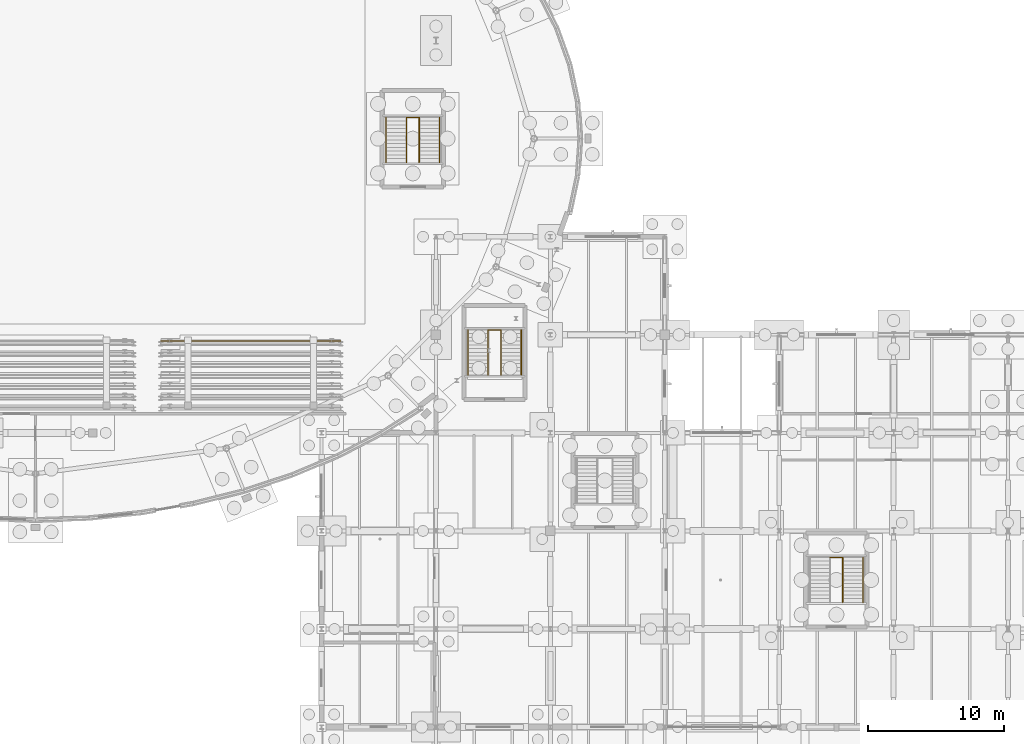
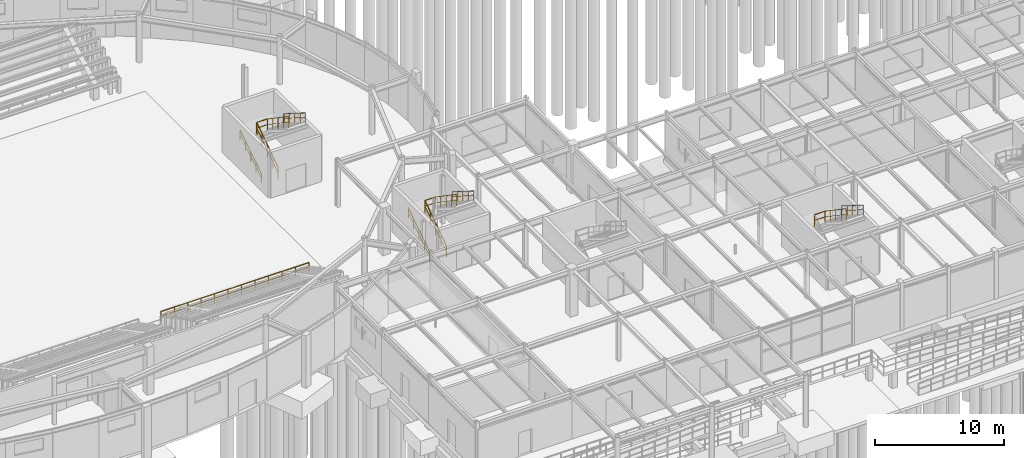
# One storey, part 77 of 93: 14 railings.
"""IFC4 building model written with IfcOpenShell, lengths in metres."""

from ifc_helpers import new_model, si_unit, derived_unit, direction, frame, origin, origin_2d, place, context, subcontext, project, spatial, circle, extrude, material, type_object, element, save


model = new_model("IFC4")

# Units and contexts
model_context = context("Model", 3, precision=1e-05, world=origin(), true_north=direction((0.0, 1.0)))
body_context = subcontext(model_context, "Body", "Model", "MODEL_VIEW")
ifc_project = project(units=[si_unit("LENGTHUNIT", "METRE"), si_unit("AREAUNIT", "SQUARE_METRE"), si_unit("VOLUMEUNIT", "CUBIC_METRE"), si_unit("PLANEANGLEUNIT", "RADIAN"), si_unit("MASSUNIT", "GRAM", prefix="KILO"), derived_unit("THERMALTRANSMITTANCEUNIT", [(si_unit("MASSUNIT", "GRAM", prefix="KILO"), 1), (si_unit("TIMEUNIT", "SECOND"), -3), (si_unit("THERMODYNAMICTEMPERATUREUNIT", "KELVIN"), -1)])], contexts=[model_context])

# Site, building, storey
site_placement = place(None, origin())
site = spatial("IfcSite", under=ifc_project, at=site_placement, CompositionType="ELEMENT")
building_placement = place(site_placement, origin())
building = spatial("IfcBuilding", under=site, at=building_placement, Name="Kharveza Railside Sports Centre", CompositionType="ELEMENT")
storey_placement = place(building_placement, origin())
storey = spatial("IfcBuildingStorey", under=building, at=storey_placement, Name="L00", CompositionType="ELEMENT", Elevation=0.0)

# Railings
ifc_material = material(Name="Steel S275JR", Category="steel")
railing_type_1 = type_object("IfcRailingType", Name="RL-GD090", PredefinedType="GUARDRAIL", material=ifc_material)
railing_1_placement = place(storey_placement, frame((63.800048828125, 35.550048828125, 0.89990234375)))
element("IfcRailing", 1, at=railing_1_placement, inside=storey, type_object=railing_type_1, Name="RL-BOWL-FS-3", PredefinedType="GUARDRAIL", context=body_context, shape_type="SweptSolid", body=[
    extrude(circle(Radius=0.02392578125, at=origin_2d()), frame((0.0, 0.0, 0.8759765625), z_axis=(1.0, 0.0, 0.0), x_axis=(0.0, 1.0, 0.0)), (0.0, 0.0, 1.0), 13.199951171875),
    extrude(circle(Radius=0.01611328125, at=origin_2d()), frame((0.0, 0.0, 0.449951171875), z_axis=(1.0, 0.0, 0.0), x_axis=(0.0, 1.0, 0.0)), (0.0, 0.0, 1.0), 13.199951171875),
    extrude(circle(Radius=0.02099609375, at=origin_2d()), origin(), (0.0, 0.0, 1.0), 0.851806640625),
    extrude(circle(Radius=0.02099609375, at=origin_2d()), frame((1.199951171875, 0.0, 0.0)), (0.0, 0.0, 1.0), 0.851806640625),
    extrude(circle(Radius=0.02099609375, at=origin_2d()), frame((2.39990234375, 0.0, 0.0)), (0.0, 0.0, 1.0), 0.851806640625),
    extrude(circle(Radius=0.02099609375, at=origin_2d()), frame((3.60009765625, 0.0, 0.0)), (0.0, 0.0, 1.0), 0.851806640625),
    extrude(circle(Radius=0.02099609375, at=origin_2d()), frame((4.800048828125, 0.0, 0.0)), (0.0, 0.0, 1.0), 0.851806640625),
    extrude(circle(Radius=0.02099609375, at=origin_2d()), frame((6.0, 0.0, 0.0)), (0.0, 0.0, 1.0), 0.851806640625),
    extrude(circle(Radius=0.02099609375, at=origin_2d()), frame((7.199951171875, 0.0, 0.0)), (0.0, 0.0, 1.0), 0.851806640625),
    extrude(circle(Radius=0.02099609375, at=origin_2d()), frame((8.39990234375, 0.0, 0.0)), (0.0, 0.0, 1.0), 0.851806640625),
    extrude(circle(Radius=0.02099609375, at=origin_2d()), frame((9.599853515625, 0.0, 0.0)), (0.0, 0.0, 1.0), 0.851806640625),
    extrude(circle(Radius=0.02099609375, at=origin_2d()), frame((10.800048828125, 0.0, 0.0)), (0.0, 0.0, 1.0), 0.851806640625),
    extrude(circle(Radius=0.02099609375, at=origin_2d()), frame((12.0, 0.0, 0.0)), (0.0, 0.0, 1.0), 0.851806640625),
    extrude(circle(Radius=0.02099609375, at=origin_2d()), frame((13.199951171875, 0.0, 0.0)), (0.0, 0.0, 1.0), 0.851806640625),
])
railing_type_2 = type_object("IfcRailingType", Name="RL-GD110", PredefinedType="GUARDRAIL", material=ifc_material)
railing_2_placement = place(storey_placement, frame((81.830078125, 48.659912109375, 0.0)))
element("IfcRailing", 2, at=railing_2_placement, inside=storey, type_object=railing_type_2, Name="STR-ST8-L00-GD1", PredefinedType="GUARDRAIL", context=body_context, shape_type="SweptSolid", body=[
    extrude(circle(Radius=0.02392578125, at=origin_2d()), frame((0.0, 0.0, 1.09619140625), z_axis=(0.0, 0.826231222393, 0.56333113454), x_axis=(-1.0, 0.0, 0.0)), (0.0, 0.0, 1.0), 3.994140625),
    extrude(circle(Radius=0.01611328125, at=origin_2d()), frame((0.0, 0.0, 0.56005859375), z_axis=(0.0, 0.826231222393, 0.56333113454), x_axis=(-1.0, 0.0, 0.0)), (0.0, 0.0, 1.0), 3.994140625),
    extrude(circle(Radius=0.02099609375, at=origin_2d()), origin(), (0.0, 0.0, 1.0), 1.072021484375),
    extrude(circle(Radius=0.02099609375, at=origin_2d()), frame((0.0, 0.824951171875, 0.5625)), (0.0, 0.0, 1.0), 1.072021484375),
    extrude(circle(Radius=0.02099609375, at=origin_2d()), frame((0.0, 1.64990234375, 1.125)), (0.0, 0.0, 1.0), 1.072021484375),
    extrude(circle(Radius=0.02099609375, at=origin_2d()), frame((0.0, 2.47509765625, 1.6875)), (0.0, 0.0, 1.0), 1.072021484375),
    extrude(circle(Radius=0.02099609375, at=origin_2d()), frame((0.0, 3.300048828125, 2.25)), (0.0, 0.0, 1.0), 1.072021484375),
])
railing_3_placement = place(storey_placement, frame((82.77001953125, 51.9599609375, 2.25)))
element("IfcRailing", 3, at=railing_3_placement, inside=storey, type_object=railing_type_2, Name="STR-ST8-L00-GD2", PredefinedType="GUARDRAIL", context=body_context, shape_type="SweptSolid", body=[
    extrude(circle(Radius=0.02392578125, at=origin_2d()), frame((0.0, 0.0, 1.09619140625), z_axis=(0.0, -0.826231222393, 0.56333113454), x_axis=(1.0, 0.0, 0.0)), (0.0, 0.0, 1.0), 3.994140625),
    extrude(circle(Radius=0.01611328125, at=origin_2d()), frame((0.0, 0.0, 0.56005859375), z_axis=(0.0, -0.826231222393, 0.56333113454), x_axis=(1.0, 0.0, 0.0)), (0.0, 0.0, 1.0), 3.994140625),
    extrude(circle(Radius=0.02099609375, at=origin_2d()), origin(), (0.0, 0.0, 1.0), 1.072021484375),
    extrude(circle(Radius=0.02099609375, at=origin_2d()), frame((0.0, -0.824951171875, 0.5625)), (0.0, 0.0, 1.0), 1.072021484375),
    extrude(circle(Radius=0.02099609375, at=origin_2d()), frame((0.0, -1.64990234375, 1.125)), (0.0, 0.0, 1.0), 1.072021484375),
    extrude(circle(Radius=0.02099609375, at=origin_2d()), frame((0.0, -2.47509765625, 1.6875)), (0.0, 0.0, 1.0), 1.072021484375),
    extrude(circle(Radius=0.02099609375, at=origin_2d()), frame((0.0, -3.300048828125, 2.25)), (0.0, 0.0, 1.0), 1.072021484375),
])
railing_4_placement = place(storey_placement, frame((81.830078125, 51.9599609375, 2.25)))
element("IfcRailing", 4, at=railing_4_placement, inside=storey, type_object=railing_type_2, Name="STR-ST8-L00-GDH", PredefinedType="GUARDRAIL", context=body_context, shape_type="SweptSolid", body=[
    extrude(circle(Radius=0.02392578125, at=origin_2d()), frame((0.0, 0.0, 1.09619140625), z_axis=(1.0, 0.0, 0.0), x_axis=(0.0, 1.0, 0.0)), (0.0, 0.0, 1.0), 0.93994140625),
    extrude(circle(Radius=0.01611328125, at=origin_2d()), frame((0.0, 0.0, 0.56005859375), z_axis=(1.0, 0.0, 0.0), x_axis=(0.0, 1.0, 0.0)), (0.0, 0.0, 1.0), 0.93994140625),
    extrude(circle(Radius=0.02099609375, at=origin_2d()), origin(), (0.0, 0.0, 1.0), 1.072021484375),
    extrude(circle(Radius=0.02099609375, at=origin_2d()), frame((0.93994140625, 0.0, 0.0)), (0.0, 0.0, 1.0), 1.072021484375),
])
railing_5_placement = place(storey_placement, frame((87.830078125, 33.06005859375, 0.0)))
element("IfcRailing", 5, at=railing_5_placement, inside=storey, type_object=railing_type_2, Name="STR-ST9-L00-GD1", PredefinedType="GUARDRAIL", context=body_context, shape_type="SweptSolid", body=[
    extrude(circle(Radius=0.02392578125, at=origin_2d()), frame((0.0, 0.0, 1.09619140625), z_axis=(0.0, 0.826231222393, 0.56333113454), x_axis=(-1.0, 0.0, 0.0)), (0.0, 0.0, 1.0), 3.994140625),
    extrude(circle(Radius=0.01611328125, at=origin_2d()), frame((0.0, 0.0, 0.56005859375), z_axis=(0.0, 0.826231222393, 0.56333113454), x_axis=(-1.0, 0.0, 0.0)), (0.0, 0.0, 1.0), 3.994140625),
    extrude(circle(Radius=0.02099609375, at=origin_2d()), origin(), (0.0, 0.0, 1.0), 1.072021484375),
    extrude(circle(Radius=0.02099609375, at=origin_2d()), frame((0.0, 0.824951171875, 0.5625)), (0.0, 0.0, 1.0), 1.072021484375),
    extrude(circle(Radius=0.02099609375, at=origin_2d()), frame((0.0, 1.64990234375, 1.125)), (0.0, 0.0, 1.0), 1.072021484375),
    extrude(circle(Radius=0.02099609375, at=origin_2d()), frame((0.0, 2.47509765625, 1.6875)), (0.0, 0.0, 1.0), 1.072021484375),
    extrude(circle(Radius=0.02099609375, at=origin_2d()), frame((0.0, 3.300048828125, 2.25)), (0.0, 0.0, 1.0), 1.072021484375),
])
railing_6_placement = place(storey_placement, frame((88.77001953125, 36.360107421875, 2.25)))
element("IfcRailing", 6, at=railing_6_placement, inside=storey, type_object=railing_type_2, Name="STR-ST9-L00-GD2", PredefinedType="GUARDRAIL", context=body_context, shape_type="SweptSolid", body=[
    extrude(circle(Radius=0.02392578125, at=origin_2d()), frame((0.0, 0.0, 1.09619140625), z_axis=(0.0, -0.826231222393, 0.56333113454), x_axis=(1.0, 0.0, 0.0)), (0.0, 0.0, 1.0), 3.994140625),
    extrude(circle(Radius=0.01611328125, at=origin_2d()), frame((0.0, 0.0, 0.56005859375), z_axis=(0.0, -0.826231222393, 0.56333113454), x_axis=(1.0, 0.0, 0.0)), (0.0, 0.0, 1.0), 3.994140625),
    extrude(circle(Radius=0.02099609375, at=origin_2d()), origin(), (0.0, 0.0, 1.0), 1.072021484375),
    extrude(circle(Radius=0.02099609375, at=origin_2d()), frame((0.0, -0.824951171875, 0.5625)), (0.0, 0.0, 1.0), 1.072021484375),
    extrude(circle(Radius=0.02099609375, at=origin_2d()), frame((0.0, -1.64990234375, 1.125)), (0.0, 0.0, 1.0), 1.072021484375),
    extrude(circle(Radius=0.02099609375, at=origin_2d()), frame((0.0, -2.47509765625, 1.6875)), (0.0, 0.0, 1.0), 1.072021484375),
    extrude(circle(Radius=0.02099609375, at=origin_2d()), frame((0.0, -3.300048828125, 2.25)), (0.0, 0.0, 1.0), 1.072021484375),
])
railing_7_placement = place(storey_placement, frame((87.830078125, 36.360107421875, 2.25)))
element("IfcRailing", 7, at=railing_7_placement, inside=storey, type_object=railing_type_2, Name="STR-ST9-L00-GDH", PredefinedType="GUARDRAIL", context=body_context, shape_type="SweptSolid", body=[
    extrude(circle(Radius=0.02392578125, at=origin_2d()), frame((0.0, 0.0, 1.09619140625), z_axis=(1.0, 0.0, 0.0), x_axis=(0.0, 1.0, 0.0)), (0.0, 0.0, 1.0), 0.93994140625),
    extrude(circle(Radius=0.01611328125, at=origin_2d()), frame((0.0, 0.0, 0.56005859375), z_axis=(1.0, 0.0, 0.0), x_axis=(0.0, 1.0, 0.0)), (0.0, 0.0, 1.0), 0.93994140625),
    extrude(circle(Radius=0.02099609375, at=origin_2d()), origin(), (0.0, 0.0, 1.0), 1.072021484375),
    extrude(circle(Radius=0.02099609375, at=origin_2d()), frame((0.93994140625, 0.0, 0.0)), (0.0, 0.0, 1.0), 1.072021484375),
])
railing_8_placement = place(storey_placement, frame((113.8701171875, 19.659912109375, 2.25)))
element("IfcRailing", 8, at=railing_8_placement, inside=storey, type_object=railing_type_2, Name="STR-ST12-L00-GD2", PredefinedType="GUARDRAIL", context=body_context, shape_type="SweptSolid", body=[
    extrude(circle(Radius=0.02392578125, at=origin_2d()), frame((0.0, 0.0, 1.09619140625), z_axis=(0.0, -0.826211823288, 0.56335958593), x_axis=(1.0, 0.0, 0.0)), (0.0, 0.0, 1.0), 3.993896484375),
    extrude(circle(Radius=0.01611328125, at=origin_2d()), frame((0.0, 0.0, 0.56005859375), z_axis=(0.0, -0.826211823288, 0.56335958593), x_axis=(1.0, 0.0, 0.0)), (0.0, 0.0, 1.0), 3.993896484375),
    extrude(circle(Radius=0.02099609375, at=origin_2d()), origin(), (0.0, 0.0, 1.0), 1.072021484375),
    extrude(circle(Radius=0.02099609375, at=origin_2d()), frame((0.0, -0.824951171875, 0.5625)), (0.0, 0.0, 1.0), 1.072021484375),
    extrude(circle(Radius=0.02099609375, at=origin_2d()), frame((0.0, -1.64990234375, 1.125)), (0.0, 0.0, 1.0), 1.072021484375),
    extrude(circle(Radius=0.02099609375, at=origin_2d()), frame((0.0, -2.474853515625, 1.6875)), (0.0, 0.0, 1.0), 1.072021484375),
    extrude(circle(Radius=0.02099609375, at=origin_2d()), frame((0.0, -3.2998046875, 2.25)), (0.0, 0.0, 1.0), 1.072021484375),
])
railing_9_placement = place(storey_placement, frame((112.929931640625, 19.659912109375, 2.25)))
element("IfcRailing", 9, at=railing_9_placement, inside=storey, type_object=railing_type_2, Name="STR-ST12-L00-GDH", PredefinedType="GUARDRAIL", context=body_context, shape_type="SweptSolid", body=[
    extrude(circle(Radius=0.02392578125, at=origin_2d()), frame((0.0, 0.0, 1.09619140625), z_axis=(1.0, 0.0, 0.0), x_axis=(0.0, 1.0, 0.0)), (0.0, 0.0, 1.0), 0.940185546875),
    extrude(circle(Radius=0.01611328125, at=origin_2d()), frame((0.0, 0.0, 0.56005859375), z_axis=(1.0, 0.0, 0.0), x_axis=(0.0, 1.0, 0.0)), (0.0, 0.0, 1.0), 0.940185546875),
    extrude(circle(Radius=0.02099609375, at=origin_2d()), origin(), (0.0, 0.0, 1.0), 1.072021484375),
    extrude(circle(Radius=0.02099609375, at=origin_2d()), frame((0.940185546875, 0.0, 0.0)), (0.0, 0.0, 1.0), 1.072021484375),
])
railing_type_3 = type_object("IfcRailingType", Name="RL-HR092", PredefinedType="HANDRAIL", material=ifc_material)
railing_10_placement = place(storey_placement, frame((80.340087890625, 48.659912109375, 0.173095703125)))
element("IfcRailing", 10, at=railing_10_placement, inside=storey, type_object=railing_type_3, Name="STR-ST8-L00-HR1", PredefinedType="HANDRAIL", context=body_context, shape_type="SweptSolid", body=[
    extrude(circle(Radius=0.02392578125, at=origin_2d()), frame((0.0, 0.0, 0.89599609375), z_axis=(0.0, 0.846337383501, 0.532647194011), x_axis=(-1.0, 0.0, 0.0)), (0.0, 0.0, 1.0), 3.899169921875),
    extrude(circle(Radius=0.01611328125, at=origin_2d()), frame((0.0, 0.0, 0.4599609375), z_axis=(0.0, 0.846337383501, 0.532647194011), x_axis=(-1.0, 0.0, 0.0)), (0.0, 0.0, 1.0), 3.899169921875),
    extrude(circle(Radius=0.02099609375, at=origin_2d()), origin(), (0.0, 0.0, 1.0), 0.871826171875),
    extrude(circle(Radius=0.02099609375, at=origin_2d()), frame((0.0, 0.824951171875, 0.519287109375)), (0.0, 0.0, 1.0), 0.871826171875),
    extrude(circle(Radius=0.02099609375, at=origin_2d()), frame((0.0, 1.64990234375, 1.03857421875)), (0.0, 0.0, 1.0), 0.871826171875),
    extrude(circle(Radius=0.02099609375, at=origin_2d()), frame((0.0, 2.47509765625, 1.5576171875)), (0.0, 0.0, 1.0), 0.871826171875),
    extrude(circle(Radius=0.02099609375, at=origin_2d()), frame((0.0, 3.300048828125, 2.076904296875)), (0.0, 0.0, 1.0), 0.871826171875),
])
railing_11_placement = place(storey_placement, frame((84.260009765625, 51.9599609375, 2.423095703125)))
element("IfcRailing", 11, at=railing_11_placement, inside=storey, type_object=railing_type_3, Name="STR-ST8-L00-HR2", PredefinedType="HANDRAIL", context=body_context, shape_type="SweptSolid", body=[
    extrude(circle(Radius=0.02392578125, at=origin_2d()), frame((0.0, 0.0, 0.89599609375), z_axis=(0.0, -0.846337383501, 0.532647194011), x_axis=(1.0, 0.0, 0.0)), (0.0, 0.0, 1.0), 3.899169921875),
    extrude(circle(Radius=0.01611328125, at=origin_2d()), frame((0.0, 0.0, 0.4599609375), z_axis=(0.0, -0.846337383501, 0.532647194011), x_axis=(1.0, 0.0, 0.0)), (0.0, 0.0, 1.0), 3.899169921875),
    extrude(circle(Radius=0.02099609375, at=origin_2d()), origin(), (0.0, 0.0, 1.0), 0.871826171875),
    extrude(circle(Radius=0.02099609375, at=origin_2d()), frame((0.0, -0.824951171875, 0.519287109375)), (0.0, 0.0, 1.0), 0.871826171875),
    extrude(circle(Radius=0.02099609375, at=origin_2d()), frame((0.0, -1.64990234375, 1.03857421875)), (0.0, 0.0, 1.0), 0.871826171875),
    extrude(circle(Radius=0.02099609375, at=origin_2d()), frame((0.0, -2.47509765625, 1.5576171875)), (0.0, 0.0, 1.0), 0.871826171875),
    extrude(circle(Radius=0.02099609375, at=origin_2d()), frame((0.0, -3.300048828125, 2.076904296875)), (0.0, 0.0, 1.0), 0.871826171875),
])
railing_12_placement = place(storey_placement, frame((86.340087890625, 33.06005859375, 0.173095703125)))
element("IfcRailing", 12, at=railing_12_placement, inside=storey, type_object=railing_type_3, Name="STR-ST9-L00-HR1", PredefinedType="HANDRAIL", context=body_context, shape_type="SweptSolid", body=[
    extrude(circle(Radius=0.02392578125, at=origin_2d()), frame((0.0, 0.0, 0.89599609375), z_axis=(0.0, 0.846337383501, 0.532647194011), x_axis=(-1.0, 0.0, 0.0)), (0.0, 0.0, 1.0), 3.899169921875),
    extrude(circle(Radius=0.01611328125, at=origin_2d()), frame((0.0, 0.0, 0.4599609375), z_axis=(0.0, 0.846337383501, 0.532647194011), x_axis=(-1.0, 0.0, 0.0)), (0.0, 0.0, 1.0), 3.899169921875),
    extrude(circle(Radius=0.02099609375, at=origin_2d()), origin(), (0.0, 0.0, 1.0), 0.871826171875),
    extrude(circle(Radius=0.02099609375, at=origin_2d()), frame((0.0, 0.824951171875, 0.519287109375)), (0.0, 0.0, 1.0), 0.871826171875),
    extrude(circle(Radius=0.02099609375, at=origin_2d()), frame((0.0, 1.64990234375, 1.03857421875)), (0.0, 0.0, 1.0), 0.871826171875),
    extrude(circle(Radius=0.02099609375, at=origin_2d()), frame((0.0, 2.47509765625, 1.5576171875)), (0.0, 0.0, 1.0), 0.871826171875),
    extrude(circle(Radius=0.02099609375, at=origin_2d()), frame((0.0, 3.300048828125, 2.076904296875)), (0.0, 0.0, 1.0), 0.871826171875),
])
railing_13_placement = place(storey_placement, frame((90.260009765625, 36.360107421875, 2.423095703125)))
element("IfcRailing", 13, at=railing_13_placement, inside=storey, type_object=railing_type_3, Name="STR-ST9-L00-HR2", PredefinedType="HANDRAIL", context=body_context, shape_type="SweptSolid", body=[
    extrude(circle(Radius=0.02392578125, at=origin_2d()), frame((0.0, 0.0, 0.89599609375), z_axis=(0.0, -0.846337383501, 0.532647194011), x_axis=(1.0, 0.0, 0.0)), (0.0, 0.0, 1.0), 3.899169921875),
    extrude(circle(Radius=0.01611328125, at=origin_2d()), frame((0.0, 0.0, 0.4599609375), z_axis=(0.0, -0.846337383501, 0.532647194011), x_axis=(1.0, 0.0, 0.0)), (0.0, 0.0, 1.0), 3.899169921875),
    extrude(circle(Radius=0.02099609375, at=origin_2d()), origin(), (0.0, 0.0, 1.0), 0.871826171875),
    extrude(circle(Radius=0.02099609375, at=origin_2d()), frame((0.0, -0.824951171875, 0.519287109375)), (0.0, 0.0, 1.0), 0.871826171875),
    extrude(circle(Radius=0.02099609375, at=origin_2d()), frame((0.0, -1.64990234375, 1.03857421875)), (0.0, 0.0, 1.0), 0.871826171875),
    extrude(circle(Radius=0.02099609375, at=origin_2d()), frame((0.0, -2.47509765625, 1.5576171875)), (0.0, 0.0, 1.0), 0.871826171875),
    extrude(circle(Radius=0.02099609375, at=origin_2d()), frame((0.0, -3.300048828125, 2.076904296875)), (0.0, 0.0, 1.0), 0.871826171875),
])
railing_14_placement = place(storey_placement, frame((115.360107421875, 19.659912109375, 2.423095703125)))
element("IfcRailing", 14, at=railing_14_placement, inside=storey, type_object=railing_type_3, Name="STR-ST12-L00-HR2", PredefinedType="HANDRAIL", context=body_context, shape_type="SweptSolid", body=[
    extrude(circle(Radius=0.02392578125, at=origin_2d()), frame((0.0, 0.0, 0.89599609375), z_axis=(0.0, -0.846319618018, 0.532675421018), x_axis=(1.0, 0.0, 0.0)), (0.0, 0.0, 1.0), 3.89892578125),
    extrude(circle(Radius=0.01611328125, at=origin_2d()), frame((0.0, 0.0, 0.4599609375), z_axis=(0.0, -0.846319618018, 0.532675421018), x_axis=(1.0, 0.0, 0.0)), (0.0, 0.0, 1.0), 3.89892578125),
    extrude(circle(Radius=0.02099609375, at=origin_2d()), origin(), (0.0, 0.0, 1.0), 0.871826171875),
    extrude(circle(Radius=0.02099609375, at=origin_2d()), frame((0.0, -0.824951171875, 0.519287109375)), (0.0, 0.0, 1.0), 0.871826171875),
    extrude(circle(Radius=0.02099609375, at=origin_2d()), frame((0.0, -1.64990234375, 1.03857421875)), (0.0, 0.0, 1.0), 0.871826171875),
    extrude(circle(Radius=0.02099609375, at=origin_2d()), frame((0.0, -2.474853515625, 1.5576171875)), (0.0, 0.0, 1.0), 0.871826171875),
    extrude(circle(Radius=0.02099609375, at=origin_2d()), frame((0.0, -3.2998046875, 2.076904296875)), (0.0, 0.0, 1.0), 0.871826171875),
])

save(model, "model.ifc")
